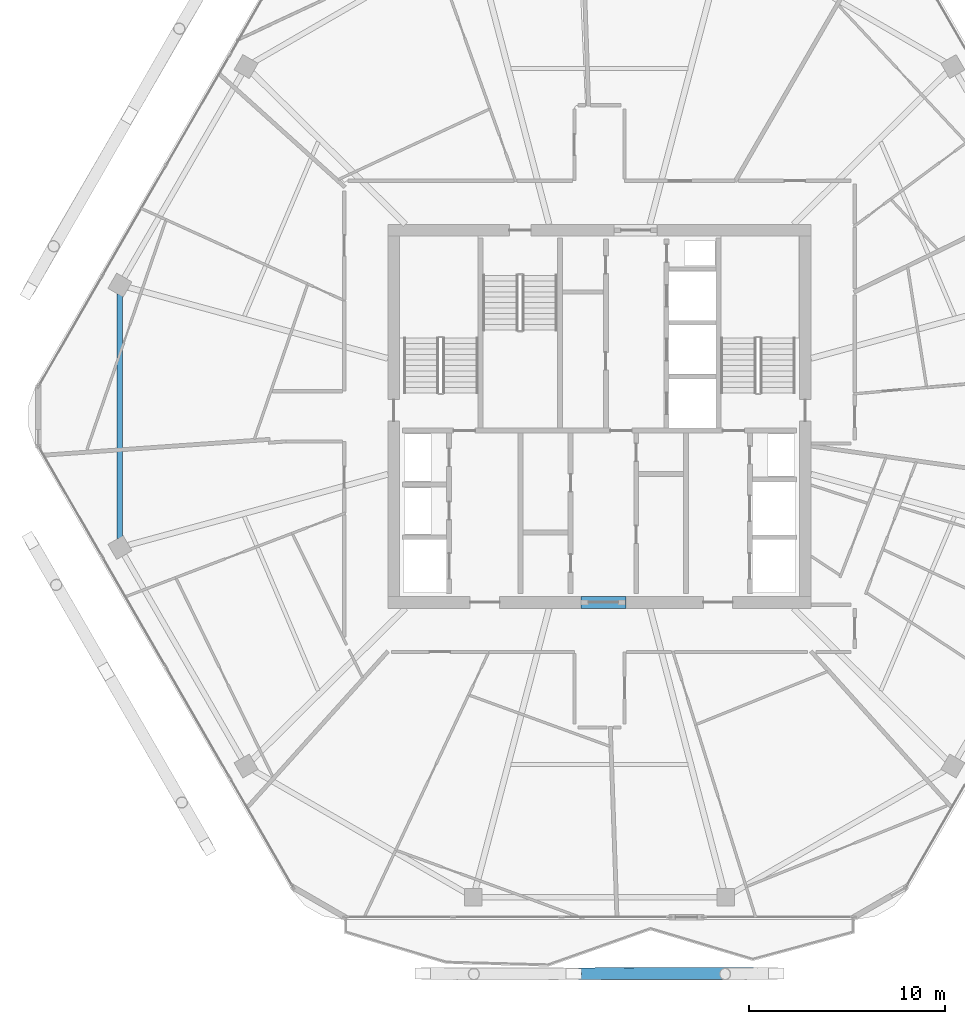
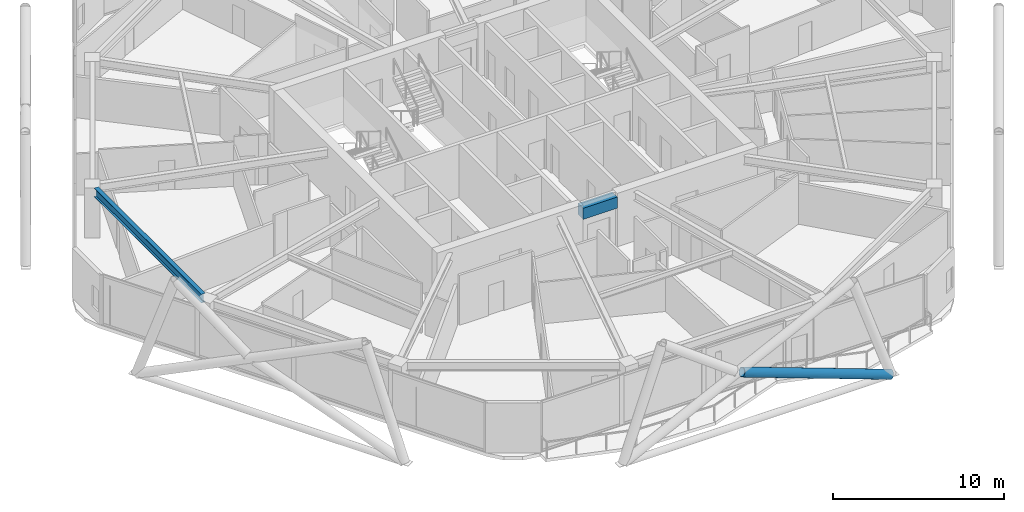
# One storey, part 7 of 26: 2 beams, 1 member.
"""IFC4 building model written with IfcOpenShell, lengths in metres."""

from ifc_helpers import new_model, si_unit, direction, frame, origin, origin_2d, place, context, subcontext, project, spatial, rectangle, hollow_circle, i_section, extrude, material, material_profile, profile_set, type_object, element, save


model = new_model("IFC4")

# Units and contexts
model_context = context("Model", 3, precision=1e-05, world=origin(), true_north=direction((0.0, 1.0)))
body_context = subcontext(model_context, "Body", "Model", "MODEL_VIEW")
ifc_project = project(units=[si_unit("LENGTHUNIT", "METRE"), si_unit("AREAUNIT", "SQUARE_METRE"), si_unit("VOLUMEUNIT", "CUBIC_METRE"), si_unit("PLANEANGLEUNIT", "RADIAN"), si_unit("MASSUNIT", "GRAM", prefix="KILO")], contexts=[model_context])

# Site, building, storey
site_placement = place(None, origin())
site = spatial("IfcSite", under=ifc_project, at=site_placement, CompositionType="ELEMENT")
building_placement = place(site_placement, origin())
building = spatial("IfcBuilding", under=site, at=building_placement, Name="Zuhravey Tower", CompositionType="ELEMENT")
storey_placement = place(building_placement, frame((0.0, 0.0, 231.199951171875)))
storey = spatial("IfcBuildingStorey", under=building, at=storey_placement, Name="L58", CompositionType="ELEMENT", Elevation=231.199951171875)

# Beam
ifc_material_1 = material(Name="Concrete C50/60", Category="concrete")
ifc_material_profile_1 = material_profile(ifc_material_1, rectangle(XDim=0.60009765625, YDim=0.800048828125, at=origin_2d()), Name="RC-600x800")
ifc_profile_set_1 = profile_set([ifc_material_profile_1], Name="Concrete C50/60")
beam_type_1 = type_object("IfcBeamType", Name="Core Coupling Beam RC600x800", PredefinedType="LINTEL", material=ifc_profile_set_1)
beam_1_placement = place(storey_placement, frame((35.052001953125, 22.5, 3.150146484375), z_axis=(1.0, 0.0, 0.0), x_axis=(0.0, 1.0, 0.0)))
element("IfcBeam", 1, at=beam_1_placement, inside=storey, type_object=beam_type_1, Name="L58 CB2 BM-L58-CB-S", PredefinedType="LINTEL", context=body_context, shape_type="SweptSolid", body=[
    extrude(rectangle(XDim=0.60009765625, YDim=0.800048828125, at=origin_2d()), origin(), (0.0, 0.0, 1.0), 2.2958984375),
])

# Member
ifc_material_2 = material(Name="Steel SM355", Category="steel")
ifc_material_profile_2 = material_profile(ifc_material_2, hollow_circle(Radius=0.3046875, WallThickness=0.028076171875, at=origin_2d()), Name="CHS-609.6x28")
ifc_profile_set_2 = profile_set([ifc_material_profile_2], Name="Steel SM355")
member_type = type_object("IfcMemberType", Name="Exoskeleton Zone 3 Diagrid CHS610x28", PredefinedType="BRACE", material=ifc_profile_set_2)
member_placement = place(storey_placement, frame((44.99072265625, 3.556396484375, -0.449951171875), z_axis=(-0.938611635194, -0.001371570826, 0.344972922229), x_axis=(0.001461274621, -0.999998932338, 0.0)))
element("IfcMember", 2, at=member_placement, inside=storey, type_object=member_type, Name="L58 Face 5 Split Diagrid Brace 3A", PredefinedType="BRACE", context=body_context, shape_type="SweptSolid", body=[
    extrude(hollow_circle(Radius=0.3046875, WallThickness=0.028076171875, at=origin_2d()), origin(), (0.0, 0.0, 1.0), 10.679931640625),
])

# Beam
ifc_material_profile_3 = material_profile(ifc_material_2, i_section(OverallWidth=0.280029296875, OverallDepth=0.6201171875, WebThickness=0.011962890625, FlangeThickness=0.02001953125, at=origin_2d()), Name="H-620x280x12x20")
ifc_profile_set_3 = profile_set([ifc_material_profile_3], Name="Steel SM355")
beam_type_2 = type_object("IfcBeamType", Name="Perimeter Ring Beam H620x280", PredefinedType="BEAM", material=ifc_profile_set_3)
beam_2_placement = place(storey_placement, frame((11.515380859375, 38.245849609375, 3.239990234375), z_axis=(0.0, -1.0, 0.0), x_axis=(1.0, 0.0, 0.0)))
element("IfcBeam", 3, at=beam_2_placement, inside=storey, type_object=beam_type_2, Name="L58 PB3 BM-L58-PB-06", PredefinedType="BEAM", context=body_context, shape_type="SweptSolid", body=[
    extrude(i_section(OverallWidth=0.280029296875, OverallDepth=0.6201171875, WebThickness=0.011962890625, FlangeThickness=0.02001953125, at=origin_2d()), origin(), (0.0, 0.0, 1.0), 12.49169921875),
])

save(model, "model.ifc")
